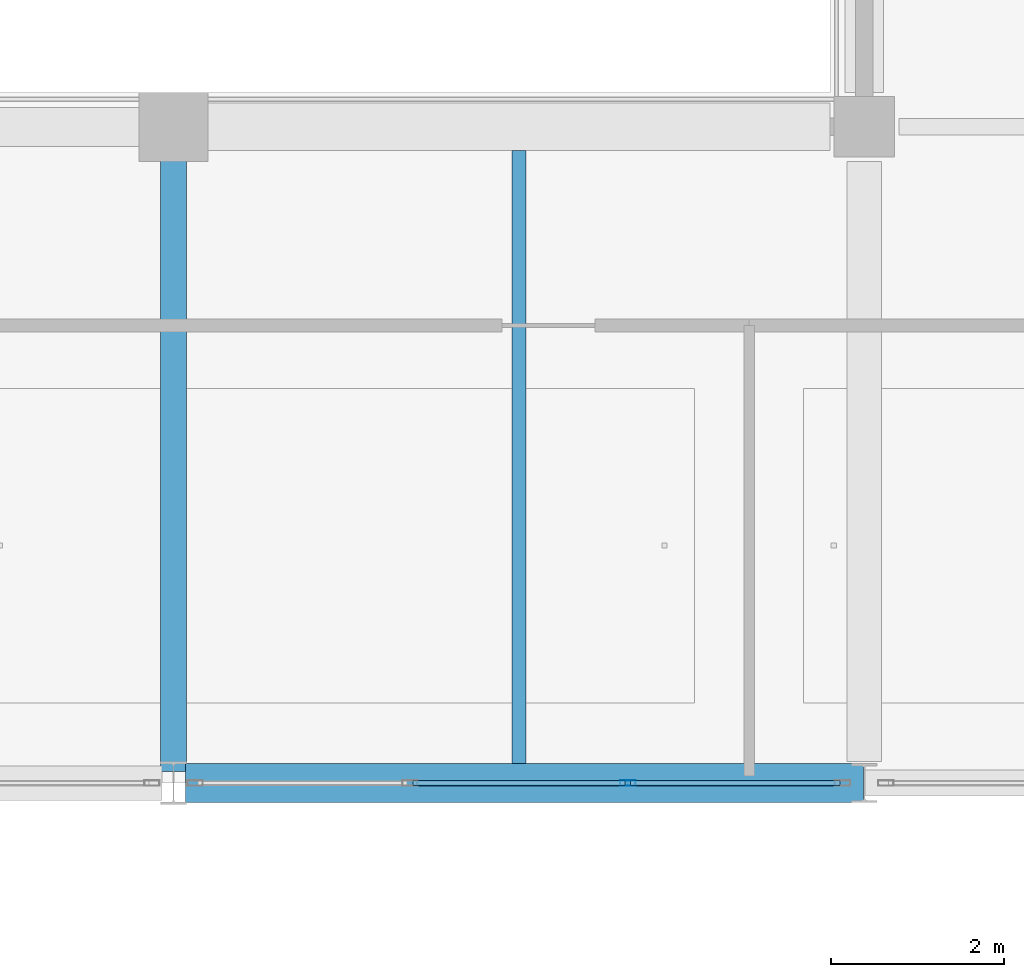
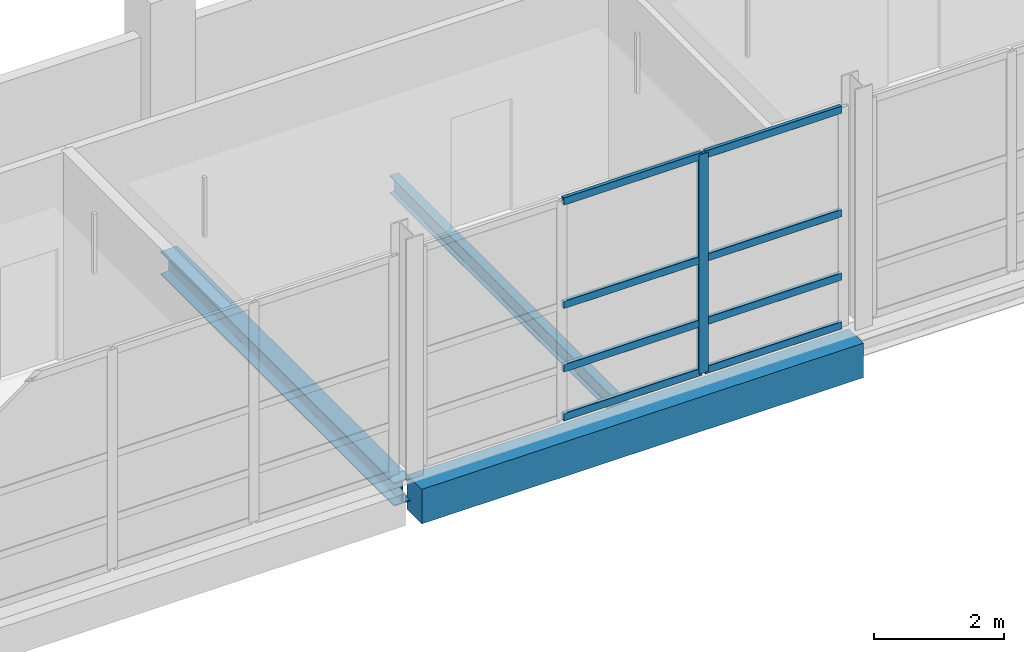
# One storey, part 36 of 107: 9 members, 3 beams, 1 element without a shape of its own.
"""IFC4 building model written with IfcOpenShell, lengths in metres."""

from ifc_helpers import new_model, si_unit, direction, frame, origin, origin_2d, place, context, subcontext, project, spatial, rectangle, hollow_rectangle, i_section, extrude, material, material_profile, profile_set, type_object, element, aggregate, save


model = new_model("IFC4")

# Units and contexts
model_context = context("Model", 3, precision=1e-05, world=origin(), true_north=direction((0.0, 1.0)))
body_context = subcontext(model_context, "Body", "Model", "MODEL_VIEW")
ifc_project = project(units=[si_unit("LENGTHUNIT", "METRE"), si_unit("AREAUNIT", "SQUARE_METRE"), si_unit("VOLUMEUNIT", "CUBIC_METRE"), si_unit("PLANEANGLEUNIT", "RADIAN"), si_unit("MASSUNIT", "GRAM", prefix="KILO")], contexts=[model_context])

# Site, building, storey
site_placement = place(None, origin())
site = spatial("IfcSite", under=ifc_project, at=site_placement, CompositionType="ELEMENT")
building_placement = place(site_placement, origin())
building = spatial("IfcBuilding", under=site, at=building_placement, Name="Khelvaren Railside Concert Hall", CompositionType="ELEMENT")
storey_placement = place(building_placement, frame((0.0, 0.0, 15.0)))
storey = spatial("IfcBuildingStorey", under=building, at=storey_placement, Name="L03", CompositionType="ELEMENT", Elevation=15.0)

# Beam
ifc_material_1 = material(Name="Steel S355", Category="steel")
ifc_material_profile_1 = material_profile(ifc_material_1, i_section(OverallWidth=0.300048828125, OverallDepth=0.43994140625, WebThickness=0.011474609375, FlangeThickness=0.02099609375, FilletRadius=0.027099609375, at=origin_2d()), Name="HEA 450")
ifc_profile_set_1 = profile_set([ifc_material_profile_1], Name="Steel S355")
beam_type_1 = type_object("IfcBeamType", Name="BM89", PredefinedType="BEAM", material=ifc_profile_set_1)
beam_1_placement = place(storey_placement, frame((168.0, 0.135986328125, -0.5), z_axis=(0.0, 1.0, 0.0), x_axis=(-1.0, 0.0, 0.0)))
element("IfcBeam", 1, at=beam_1_placement, inside=storey, type_object=beam_type_1, Name="V2 L03 Beam Y4.1", PredefinedType="BEAM", context=body_context, shape_type="SweptSolid", body=[
    extrude(i_section(OverallWidth=0.300048828125, OverallDepth=0.43994140625, WebThickness=0.011474609375, FlangeThickness=0.02099609375, FilletRadius=0.027099609375, at=origin_2d()), origin(), (0.0, 0.0, 1.0), 7.19091796875),
])

# Curtain wall, members
ifc_material_2 = material(Name="Double-glazed low-E dark acoustic glass", Category="glass")
curtain_wall_type = type_object("IfcCurtainWallType", Name="CW69", PredefinedType="USERDEFINED", material=ifc_material_2)
curtain_wall_placement = place(storey_placement, origin())
curtain_wall = element("IfcCurtainWall", 2, at=curtain_wall_placement, inside=storey, type_object=curtain_wall_type, Name="Unitised Curtain Wall CW-V2-L03-S-168", ObjectType="UNITISED CURTAIN WALL", PredefinedType="USERDEFINED")
ifc_material_3 = material(Name="Anodised architectural aluminium 6063-T6", Category="aluminium")
ifc_material_profile_2 = material_profile(ifc_material_3, hollow_rectangle(XDim=0.06494140625, YDim=0.179931640625, WallThickness=0.00390625, InnerFilletRadius=0.001953125, OuterFilletRadius=0.00390625, at=origin_2d()), Name="CWM 65x180x4")
ifc_profile_set_2 = profile_set([ifc_material_profile_2], Name="Anodised architectural aluminium 6063-T6")
member_type_1 = type_object("IfcMemberType", Name="CWM63", PredefinedType="MULLION", material=ifc_profile_set_2)
member_1_placement = place(storey_placement, frame((173.2607421875, 0.0, 0.0), z_axis=(0.0, 0.0, 1.0), x_axis=(0.0, -1.0, 0.0)))
member_1 = element("IfcMember", 3, at=member_1_placement, type_object=member_type_1, Name="CW69 mullion 2", PredefinedType="MULLION", context=body_context, shape_type="SweptSolid", body=[
    extrude(hollow_rectangle(XDim=0.06494140625, YDim=0.179931640625, WallThickness=0.00390625, InnerFilletRadius=0.001953125, OuterFilletRadius=0.00390625, at=origin_2d()), origin(), (0.0, 0.0, 1.0), 4.1201171875),
])
ifc_material_profile_3 = material_profile(ifc_material_3, hollow_rectangle(XDim=0.06494140625, YDim=0.139892578125, WallThickness=0.00390625, InnerFilletRadius=0.001953125, OuterFilletRadius=0.00390625, at=origin_2d()), Name="CWT 65x140x4")
ifc_profile_set_3 = profile_set([ifc_material_profile_3], Name="Anodised architectural aluminium 6063-T6")
member_type_2 = type_object("IfcMemberType", Name="CWT72", PredefinedType="USERDEFINED", material=ifc_profile_set_3)
member_2_placement = place(storey_placement, frame((175.717529296875, 0.0, 0.032470703125), z_axis=(-1.0, 0.0, 0.0), x_axis=(0.0, -1.0, 0.0)))
member_2 = element("IfcMember", 4, at=member_2_placement, type_object=member_type_2, Name="CW69 transom 1.1", ObjectType="TRANSOM", PredefinedType="USERDEFINED", context=body_context, shape_type="SweptSolid", body=[
    extrude(hollow_rectangle(XDim=0.06494140625, YDim=0.139892578125, WallThickness=0.00390625, InnerFilletRadius=0.001953125, OuterFilletRadius=0.00390625, at=origin_2d()), origin(), (0.0, 0.0, 1.0), 2.42431640625),
])
member_3_placement = place(storey_placement, frame((175.717529296875, 0.0, 0.949951171875), z_axis=(-1.0, 0.0, 0.0), x_axis=(0.0, -1.0, 0.0)))
member_3 = element("IfcMember", 5, at=member_3_placement, type_object=member_type_2, Name="CW69 transom 1.2", ObjectType="TRANSOM", PredefinedType="USERDEFINED", context=body_context, shape_type="SweptSolid", body=[
    extrude(hollow_rectangle(XDim=0.06494140625, YDim=0.139892578125, WallThickness=0.00390625, InnerFilletRadius=0.001953125, OuterFilletRadius=0.00390625, at=origin_2d()), origin(), (0.0, 0.0, 1.0), 2.42431640625),
])
member_4_placement = place(storey_placement, frame((175.717529296875, 0.0, 2.142333984375), z_axis=(-1.0, 0.0, 0.0), x_axis=(0.0, -1.0, 0.0)))
member_4 = element("IfcMember", 6, at=member_4_placement, type_object=member_type_2, Name="CW69 transom 1.3", ObjectType="TRANSOM", PredefinedType="USERDEFINED", context=body_context, shape_type="SweptSolid", body=[
    extrude(hollow_rectangle(XDim=0.06494140625, YDim=0.139892578125, WallThickness=0.00390625, InnerFilletRadius=0.001953125, OuterFilletRadius=0.00390625, at=origin_2d()), origin(), (0.0, 0.0, 1.0), 2.42431640625),
])
member_5_placement = place(storey_placement, frame((175.717529296875, 0.0, 4.08740234375), z_axis=(-1.0, 0.0, 0.0), x_axis=(0.0, -1.0, 0.0)))
member_5 = element("IfcMember", 7, at=member_5_placement, type_object=member_type_2, Name="CW69 transom 1.4", ObjectType="TRANSOM", PredefinedType="USERDEFINED", context=body_context, shape_type="SweptSolid", body=[
    extrude(hollow_rectangle(XDim=0.06494140625, YDim=0.139892578125, WallThickness=0.00390625, InnerFilletRadius=0.001953125, OuterFilletRadius=0.00390625, at=origin_2d()), origin(), (0.0, 0.0, 1.0), 2.42431640625),
])
member_6_placement = place(storey_placement, frame((173.228271484375, 0.0, 0.032470703125), z_axis=(-1.0, 0.0, 0.0), x_axis=(0.0, -1.0, 0.0)))
member_6 = element("IfcMember", 8, at=member_6_placement, type_object=member_type_2, Name="CW69 transom 2.1", ObjectType="TRANSOM", PredefinedType="USERDEFINED", context=body_context, shape_type="SweptSolid", body=[
    extrude(hollow_rectangle(XDim=0.06494140625, YDim=0.139892578125, WallThickness=0.00390625, InnerFilletRadius=0.001953125, OuterFilletRadius=0.00390625, at=origin_2d()), origin(), (0.0, 0.0, 1.0), 2.45654296875),
])
member_7_placement = place(storey_placement, frame((173.228271484375, 0.0, 0.949951171875), z_axis=(-1.0, 0.0, 0.0), x_axis=(0.0, -1.0, 0.0)))
member_7 = element("IfcMember", 9, at=member_7_placement, type_object=member_type_2, Name="CW69 transom 2.2", ObjectType="TRANSOM", PredefinedType="USERDEFINED", context=body_context, shape_type="SweptSolid", body=[
    extrude(hollow_rectangle(XDim=0.06494140625, YDim=0.139892578125, WallThickness=0.00390625, InnerFilletRadius=0.001953125, OuterFilletRadius=0.00390625, at=origin_2d()), origin(), (0.0, 0.0, 1.0), 2.45654296875),
])
member_8_placement = place(storey_placement, frame((173.228271484375, 0.0, 2.142333984375), z_axis=(-1.0, 0.0, 0.0), x_axis=(0.0, -1.0, 0.0)))
member_8 = element("IfcMember", 10, at=member_8_placement, type_object=member_type_2, Name="CW69 transom 2.3", ObjectType="TRANSOM", PredefinedType="USERDEFINED", context=body_context, shape_type="SweptSolid", body=[
    extrude(hollow_rectangle(XDim=0.06494140625, YDim=0.139892578125, WallThickness=0.00390625, InnerFilletRadius=0.001953125, OuterFilletRadius=0.00390625, at=origin_2d()), origin(), (0.0, 0.0, 1.0), 2.45654296875),
])
member_9_placement = place(storey_placement, frame((173.228271484375, 0.0, 4.08740234375), z_axis=(-1.0, 0.0, 0.0), x_axis=(0.0, -1.0, 0.0)))
member_9 = element("IfcMember", 11, at=member_9_placement, type_object=member_type_2, Name="CW69 transom 2.4", ObjectType="TRANSOM", PredefinedType="USERDEFINED", context=body_context, shape_type="SweptSolid", body=[
    extrude(hollow_rectangle(XDim=0.06494140625, YDim=0.139892578125, WallThickness=0.00390625, InnerFilletRadius=0.001953125, OuterFilletRadius=0.00390625, at=origin_2d()), origin(), (0.0, 0.0, 1.0), 2.45654296875),
])
aggregate(curtain_wall, [member_1, member_2, member_3, member_4, member_5, member_6, member_7, member_8, member_9])

# Beams
ifc_material_profile_4 = material_profile(ifc_material_1, i_section(OverallWidth=0.159912109375, OverallDepth=0.330078125, WebThickness=0.007568359375, FlangeThickness=0.011474609375, FilletRadius=0.01806640625, at=origin_2d()), Name="IPE 330")
ifc_profile_set_4 = profile_set([ifc_material_profile_4], Name="Steel S355")
beam_type_2 = type_object("IfcBeamType", Name="JS65", PredefinedType="JOIST", material=ifc_profile_set_4)
beam_2_placement = place(storey_placement, frame((172.0, 0.22509765625, -0.445068359375), z_axis=(0.0, 1.0, 0.0), x_axis=(-1.0, 0.0, 0.0)))
element("IfcBeam", 12, at=beam_2_placement, inside=storey, type_object=beam_type_2, Name="V2 L03 Secondary Joist 4.1", PredefinedType="JOIST", context=body_context, shape_type="SweptSolid", body=[
    extrude(i_section(OverallWidth=0.159912109375, OverallDepth=0.330078125, WebThickness=0.007568359375, FlangeThickness=0.011474609375, FilletRadius=0.01806640625, at=origin_2d()), origin(), (0.0, 0.0, 1.0), 7.099853515625),
])
ifc_material_4 = material(Name="Concrete C40/50", Category="concrete")
ifc_material_profile_5 = material_profile(ifc_material_4, rectangle(XDim=0.449951171875, YDim=0.64990234375, at=origin_2d()), Name="RCB 450x650")
ifc_profile_set_5 = profile_set([ifc_material_profile_5], Name="Concrete C40/50")
beam_type_3 = type_object("IfcBeamType", Name="SP34", PredefinedType="SPANDREL", material=ifc_profile_set_5)
beam_3_placement = place(storey_placement, frame((168.135986328125, 0.0, -0.60498046875), z_axis=(1.0, 0.0, 0.0), x_axis=(0.0, 1.0, 0.0)))
element("IfcBeam", 13, at=beam_3_placement, inside=storey, type_object=beam_type_3, Name="V2 L03 Spandrel X1.4", PredefinedType="SPANDREL", context=body_context, shape_type="SweptSolid", body=[
    extrude(rectangle(XDim=0.449951171875, YDim=0.64990234375, at=origin_2d()), origin(), (0.0, 0.0, 1.0), 7.85400390625),
])

save(model, "model.ifc")
